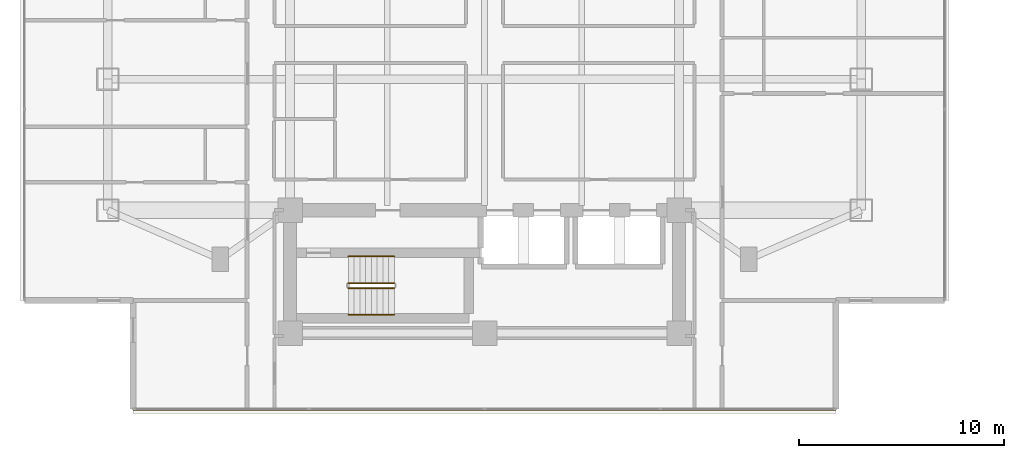
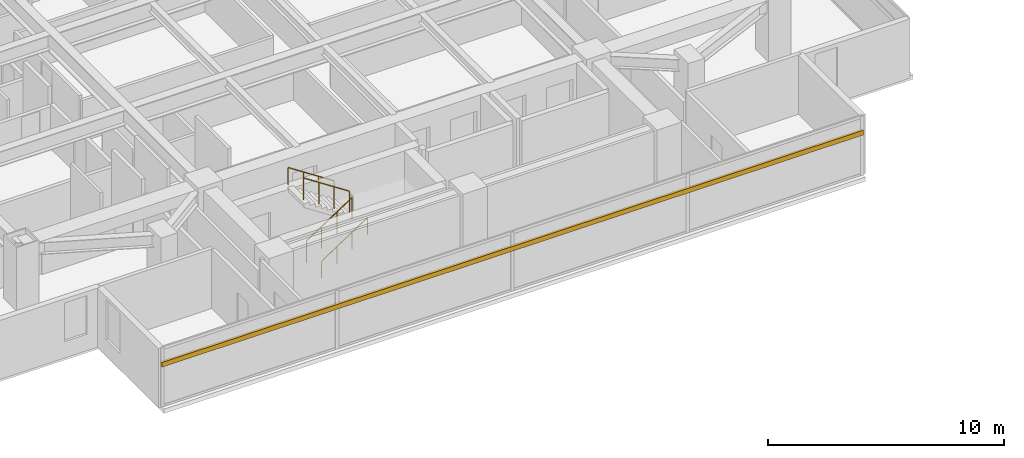
# One storey, part 22 of 26: 4 railings, 1 shading device.
"""IFC4 building model written with IfcOpenShell, lengths in metres."""

from ifc_helpers import new_model, si_unit, direction, frame, origin, origin_2d, place, context, subcontext, project, spatial, rectangle, circle, extrude, material, material_profile, profile_set, type_object, element, save


model = new_model("IFC4")

# Units and contexts
model_context = context("Model", 3, precision=1e-05, world=origin(), true_north=direction((0.0, 1.0)))
body_context = subcontext(model_context, "Body", "Model", "MODEL_VIEW")
ifc_project = project(units=[si_unit("LENGTHUNIT", "METRE"), si_unit("AREAUNIT", "SQUARE_METRE"), si_unit("VOLUMEUNIT", "CUBIC_METRE"), si_unit("PLANEANGLEUNIT", "RADIAN"), si_unit("MASSUNIT", "GRAM", prefix="KILO")], contexts=[model_context])

# Site, building, storey
site_placement = place(None, origin())
site = spatial("IfcSite", under=ifc_project, at=site_placement, CompositionType="ELEMENT")
building_placement = place(site_placement, origin())
building = spatial("IfcBuilding", under=site, at=building_placement, Name="Mirazonda Arch Towers", CompositionType="ELEMENT")
storey_placement = place(building_placement, frame((0.0, 0.0, 114.800048828125)))
storey = spatial("IfcBuildingStorey", under=building, at=storey_placement, Name="L32", CompositionType="ELEMENT", Elevation=114.800048828125)

# Shading device
ifc_material_1 = material(Name="Kiln-Fired Architectural Terracotta", Category="masonry")
ifc_material_profile = material_profile(ifc_material_1, rectangle(XDim=0.1201171875, YDim=0.239990234375, at=origin_2d()), Name="TERRA-BAG-120x240")
ifc_profile_set = profile_set([ifc_material_profile], Name="Kiln-Fired Architectural Terracotta")
shading_device_type = type_object("IfcShadingDeviceType", Name="BAGUETTE-1", PredefinedType="USERDEFINED", material=ifc_profile_set)
shading_device_placement = place(storey_placement, frame((37.6650390625, 8.68603515625, 2.203125), z_axis=(-1.0, 0.0, 0.0), x_axis=(0.0, -1.0, 0.0)))
element("IfcShadingDevice", 1, at=shading_device_placement, inside=storey, type_object=shading_device_type, Name="L32 Glazed Terracotta Sun-Screen Baguette CW-L32-T1-S", ObjectType="BAGUETTE", PredefinedType="USERDEFINED", context=body_context, shape_type="SweptSolid", body=[
    extrude(rectangle(XDim=0.1201171875, YDim=0.239990234375, at=origin_2d()), origin(), (0.0, 0.0, 1.0), 34.330078125),
])

# Railings
ifc_material_2 = material(Name="Architectural Brushed Steel S355", Category="steel")
railing_type_1 = type_object("IfcRailingType", Name="GUARD-STAIR-1120", PredefinedType="GUARDRAIL", material=ifc_material_2)
railing_1_placement = place(storey_placement, frame((13.85009765625, 14.60009765625, 0.183349609375)))
element("IfcRailing", 2, at=railing_1_placement, inside=storey, type_object=railing_type_1, Name="L32 ST-T1S stair guard 1", PredefinedType="GUARDRAIL", context=body_context, shape_type="SweptSolid", body=[
    extrude(circle(Radius=0.02392578125, at=origin_2d()), frame((0.0, 0.0, 1.1259765625), z_axis=(0.836636935527, 0.0, 0.547757827979), x_axis=(0.0, 1.0, 0.0)), (0.0, 0.0, 1.0), 2.677490234375),
    extrude(circle(Radius=0.02099609375, at=origin_2d()), origin(), (0.0, 0.0, 1.0), 1.101806640625),
    extrude(circle(Radius=0.02099609375, at=origin_2d()), frame((0.74658203125, 0.0, 0.48876953125)), (0.0, 0.0, 1.0), 1.101806640625),
    extrude(circle(Radius=0.02099609375, at=origin_2d()), frame((1.493408203125, 0.0, 0.977783203125)), (0.0, 0.0, 1.0), 1.101806640625),
    extrude(circle(Radius=0.02099609375, at=origin_2d()), frame((2.239990234375, 0.0, 1.466552734375)), (0.0, 0.0, 1.0), 1.101806640625),
])
railing_2_placement = place(storey_placement, frame((16.090087890625, 14.840087890625, 1.833251953125)))
element("IfcRailing", 3, at=railing_2_placement, inside=storey, type_object=railing_type_1, Name="L32 ST-T1S stair guard 3", PredefinedType="GUARDRAIL", context=body_context, shape_type="SweptSolid", body=[
    extrude(circle(Radius=0.02392578125, at=origin_2d()), frame((0.0, 0.0, 1.1259765625), z_axis=(-0.836595146698, 0.0, 0.547821650285), x_axis=(0.0, -1.0, 0.0)), (0.0, 0.0, 1.0), 2.677490234375),
    extrude(circle(Radius=0.02099609375, at=origin_2d()), origin(), (0.0, 0.0, 1.0), 1.101806640625),
    extrude(circle(Radius=0.02099609375, at=origin_2d()), frame((-0.74658203125, 0.0, 0.489013671875)), (0.0, 0.0, 1.0), 1.101806640625),
    extrude(circle(Radius=0.02099609375, at=origin_2d()), frame((-1.493408203125, 0.0, 0.977783203125)), (0.0, 0.0, 1.0), 1.101806640625),
    extrude(circle(Radius=0.02099609375, at=origin_2d()), frame((-2.239990234375, 0.0, 1.466796875)), (0.0, 0.0, 1.0), 1.101806640625),
])
railing_type_2 = type_object("IfcRailingType", Name="HANDRAIL-915", PredefinedType="HANDRAIL", material=ifc_material_2)
railing_3_placement = place(storey_placement, frame((13.85009765625, 13.300048828125, 0.183349609375)))
element("IfcRailing", 4, at=railing_3_placement, inside=storey, type_object=railing_type_2, Name="L32 ST-T1S stair handrail 1", PredefinedType="HANDRAIL", context=body_context, shape_type="SweptSolid", body=[
    extrude(circle(Radius=0.02392578125, at=origin_2d()), frame((0.0, 0.0, 0.8759765625), z_axis=(0.836636935527, 0.0, 0.547757827979), x_axis=(0.0, 1.0, 0.0)), (0.0, 0.0, 1.0), 2.677490234375),
    extrude(circle(Radius=0.02099609375, at=origin_2d()), origin(), (0.0, 0.0, 1.0), 0.851806640625),
    extrude(circle(Radius=0.02099609375, at=origin_2d()), frame((0.74658203125, 0.0, 0.48876953125)), (0.0, 0.0, 1.0), 0.851806640625),
    extrude(circle(Radius=0.02099609375, at=origin_2d()), frame((1.493408203125, 0.0, 0.977783203125)), (0.0, 0.0, 1.0), 0.851806640625),
    extrude(circle(Radius=0.02099609375, at=origin_2d()), frame((2.239990234375, 0.0, 1.466552734375)), (0.0, 0.0, 1.0), 0.851806640625),
])
railing_4_placement = place(storey_placement, frame((16.090087890625, 16.139892578125, 1.833251953125)))
element("IfcRailing", 5, at=railing_4_placement, inside=storey, type_object=railing_type_2, Name="L32 ST-T1S stair handrail 2", PredefinedType="HANDRAIL", context=body_context, shape_type="SweptSolid", body=[
    extrude(circle(Radius=0.02392578125, at=origin_2d()), frame((0.0, 0.0, 0.8759765625), z_axis=(-0.836595146698, 0.0, 0.547821650285), x_axis=(0.0, -1.0, 0.0)), (0.0, 0.0, 1.0), 2.677490234375),
    extrude(circle(Radius=0.02099609375, at=origin_2d()), origin(), (0.0, 0.0, 1.0), 0.851806640625),
    extrude(circle(Radius=0.02099609375, at=origin_2d()), frame((-0.74658203125, 0.0, 0.489013671875)), (0.0, 0.0, 1.0), 0.851806640625),
    extrude(circle(Radius=0.02099609375, at=origin_2d()), frame((-1.493408203125, 0.0, 0.977783203125)), (0.0, 0.0, 1.0), 0.851806640625),
    extrude(circle(Radius=0.02099609375, at=origin_2d()), frame((-2.239990234375, 0.0, 1.466796875)), (0.0, 0.0, 1.0), 0.851806640625),
])

save(model, "model.ifc")
